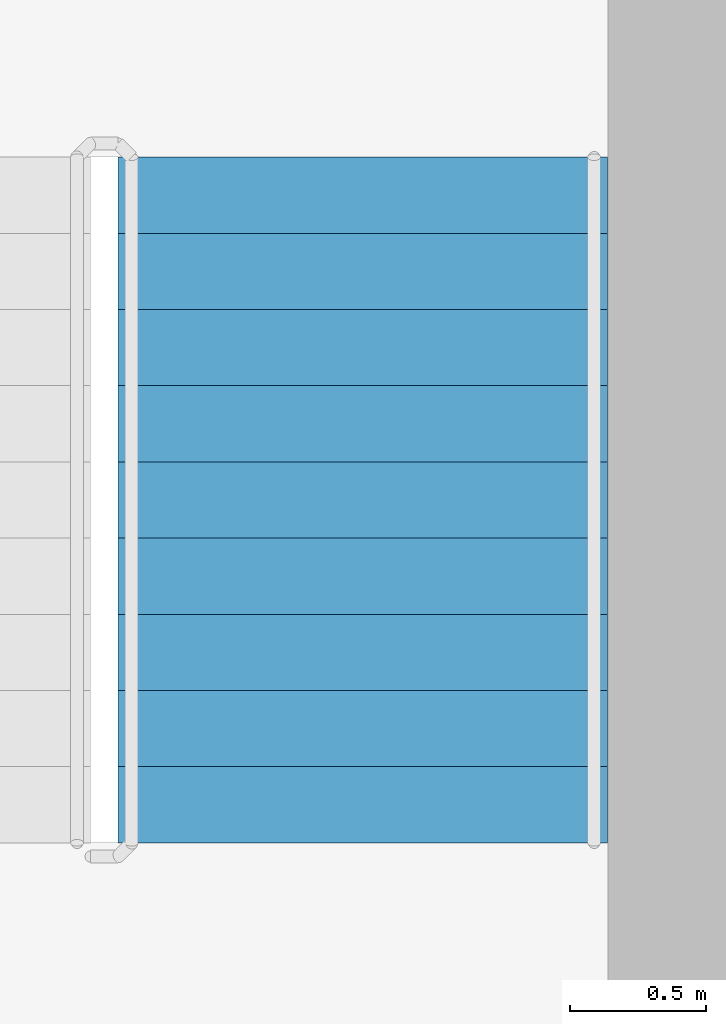
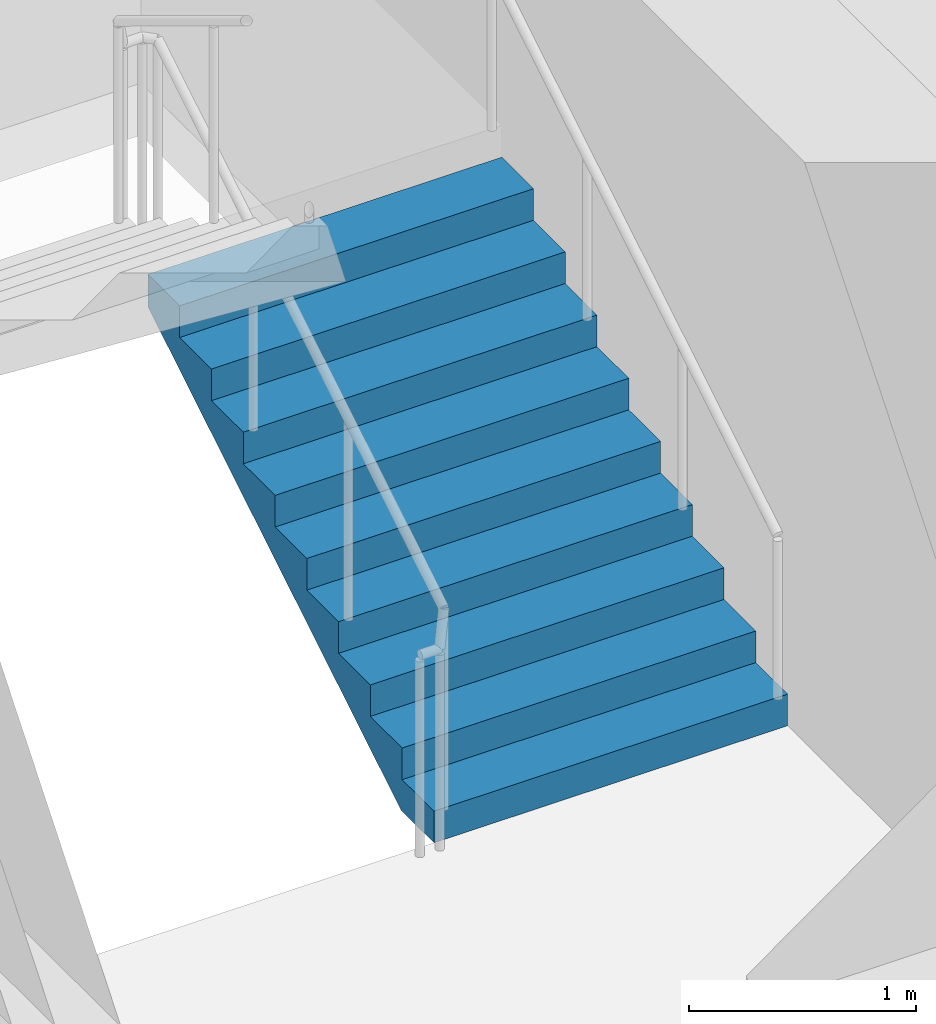
# One storey, part 11 of 19: 1 stair flight, 1 element without a shape of its own.
"""IFC4 building model written with IfcOpenShell, lengths in metres."""

import ifcopenshell
import ifcopenshell.guid

model = None  # the IFC model being written
_history = None  # IfcOwnerHistory: only IFC2X3 demands one
_inside = {}  # id of a spatial element -> (the spatial element, [elements in it])
_under = {}  # id of a project, library or spatial element -> (it, [spatial elements below it])
_declared = {}  # id of a project -> (the project, [libraries it declares])
_typed = {}  # id of a type object -> (the type object, [elements of that type])
_made_of = {}  # id of a material, layer set ... -> (it, [elements and type objects made of it])


def new_model(schema):
    """Start an empty IFC model of exactly this schema.

    Asked for "IFC4X3", IfcOpenShell would pick the latest addendum, in which some entities
    have other attributes; the version numbers below select the first issue.
    IFC2X3 requires an IfcOwnerHistory on every rooted entity: one is made here for all.
    """
    global model, _history
    if schema == "IFC4X3":
        model = ifcopenshell.file(schema_version=(4, 3, 0, 0))
    else:
        model = ifcopenshell.file(schema=schema)
    _inside.clear()
    _under.clear()
    _declared.clear()
    _typed.clear()
    _made_of.clear()
    _history = None
    if model.schema == "IFC2X3":
        org = make("IfcOrganization", Name="unknown")
        user = make(
            "IfcPersonAndOrganization",
            ThePerson=make("IfcPerson", FamilyName="unknown"),
            TheOrganization=org,
        )
        app = make(
            "IfcApplication",
            ApplicationDeveloper=org,
            Version="unknown",
            ApplicationFullName="unknown",
            ApplicationIdentifier="unknown",
        )
        _history = make(
            "IfcOwnerHistory",
            OwningUser=user,
            OwningApplication=app,
            ChangeAction="ADDED",
            CreationDate=0,
        )
    return model


def make(cls, **values):
    """One entity of the class cls with the attributes given. An attribute that is None is left unset."""
    return model.create_entity(
        cls, **{name: value for name, value in values.items() if value is not None}
    )


def rooted(cls, **values):
    """An entity with a GlobalId (a new one), such as an element, a storey or a relation."""
    return make(cls, GlobalId=ifcopenshell.guid.new(), OwnerHistory=_history, **values)


def si_unit(unit_type, name, prefix=None):
    """IfcSIUnit, for example si_unit("LENGTHUNIT", "METRE", prefix="MILLI")."""
    return make("IfcSIUnit", UnitType=unit_type, Prefix=prefix, Name=name)


def assignment(units):
    """IfcUnitAssignment: the units of a project."""
    return None if units is None else make("IfcUnitAssignment", Units=units)


def point(xyz):
    """IfcCartesianPoint."""
    return None if xyz is None else make("IfcCartesianPoint", Coordinates=xyz)


def direction(xyz):
    """IfcDirection."""
    return None if xyz is None else make("IfcDirection", DirectionRatios=xyz)


def frame(location, z_axis=None, x_axis=None):
    """IfcAxis2Placement3D, a coordinate frame: its origin and axes. An axis left out is left unset."""
    return make(
        "IfcAxis2Placement3D",
        Location=point(location),
        Axis=direction(z_axis),
        RefDirection=direction(x_axis),
    )


def origin():
    """The frame at (0, 0, 0) with its axes left unset."""
    return frame((0.0, 0.0, 0.0))


def place(relative_to, where):
    """IfcLocalPlacement: puts the frame where relative to a parent placement (None: the world)."""
    return make(
        "IfcLocalPlacement", PlacementRelTo=relative_to, RelativePlacement=where
    )


def context(
    kind, dimensions, precision=None, world=None, true_north=None, identifier=None
):
    """IfcGeometricRepresentationContext, for example the 3D "Model" context."""
    return make(
        "IfcGeometricRepresentationContext",
        ContextIdentifier=identifier,
        ContextType=kind,
        CoordinateSpaceDimension=dimensions,
        Precision=precision,
        WorldCoordinateSystem=world,
        TrueNorth=true_north,
    )


def subcontext(parent, identifier, kind, view, scale=None):
    """IfcGeometricRepresentationSubContext, for example "Body" below "Model"."""
    return make(
        "IfcGeometricRepresentationSubContext",
        ContextIdentifier=identifier,
        ContextType=kind,
        ParentContext=parent,
        TargetScale=scale,
        TargetView=view,
    )


def project(units=None, contexts=None):
    """IfcProject with its units and contexts."""
    return rooted(
        "IfcProject",
        Name="project",
        RepresentationContexts=contexts,
        UnitsInContext=assignment(units),
    )


def spatial(cls, under=None, at=None, **own):
    """A site, building, storey or space (cls), placed at a placement, below another one or the project."""
    s = rooted(cls, ObjectPlacement=at, **own)
    if under is not None:
        _under.setdefault(under.id(), (under, []))[1].append(s)
    return s


def point_list(points):
    """IfcCartesianPointList2D or 3D."""
    cls = (
        "IfcCartesianPointList2D" if len(points[0]) == 2 else "IfcCartesianPointList3D"
    )
    return make(cls, CoordList=points)


def triangles(points, corners, closed=None, point_numbers=None):
    """IfcTriangulatedFaceSet: each triangle names its three corners, points numbered from 1."""
    return make(
        "IfcTriangulatedFaceSet",
        Coordinates=point_list(points),
        Closed=closed,
        CoordIndex=corners,
        PnIndex=point_numbers,
    )


def shape(context_of_items, identifier, shape_type, items):
    """IfcShapeRepresentation: the items that make up one representation, for example the "Body"."""
    return make(
        "IfcShapeRepresentation",
        ContextOfItems=context_of_items,
        RepresentationIdentifier=identifier,
        RepresentationType=shape_type,
        Items=items,
    )


def source(mapping_origin, context_of_items, identifier, shape_type, items):
    """IfcRepresentationMap: a shape defined once, which mapped items show again and again."""
    return make(
        "IfcRepresentationMap",
        MappingOrigin=mapping_origin,
        MappedRepresentation=shape(context_of_items, identifier, shape_type, items),
    )


def transform(
    local_origin,
    x_axis=None,
    y_axis=None,
    z_axis=None,
    scale=None,
    scale2=None,
    scale3=None,
    uniform=True,
):
    """IfcCartesianTransformationOperator3D, or its non-uniform kind. x_axis, y_axis, z_axis: its Axis1, 2, 3."""
    if uniform:
        return make(
            "IfcCartesianTransformationOperator3D",
            Axis1=direction(x_axis),
            Axis2=direction(y_axis),
            LocalOrigin=point(local_origin),
            Scale=scale,
            Axis3=direction(z_axis),
        )
    return make(
        "IfcCartesianTransformationOperator3DnonUniform",
        Axis1=direction(x_axis),
        Axis2=direction(y_axis),
        LocalOrigin=point(local_origin),
        Scale=scale,
        Axis3=direction(z_axis),
        Scale2=scale2,
        Scale3=scale3,
    )


def mapped(mapping_source, mapping_target):
    """IfcMappedItem: shows the shape of a source again, moved by a transform."""
    return make(
        "IfcMappedItem", MappingSource=mapping_source, MappingTarget=mapping_target
    )


def material(Name=None, Category=None):
    """IfcMaterial."""
    return make("IfcMaterial", Name=Name, Category=Category)


def made_of(thing, what):
    """Note that an element or type object is made of a material, layer set ...; save() writes the relation."""
    if what is not None:
        _made_of.setdefault(what.id(), (what, []))[1].append(thing)
    return thing


def type_object(cls, material=None, **own):
    """A type object (cls), such as IfcWallType, which elements share."""
    return made_of(rooted(cls, **own), material)


def element(
    cls,
    number,
    at=None,
    inside=None,
    cuts=None,
    type_object=None,
    material=None,
    context=None,
    identifier="Body",
    shape_type=None,
    held_by="IfcProductDefinitionShape",
    body=None,
    shapes=None,
    **own,
):
    """One element of the class cls, such as IfcWall. Its Tag is "e" and its number.

    at: its placement. inside: the storey or other place that contains it. cuts: it is an
    opening in that element (IfcRelVoidsElement). A single representation is given by context,
    identifier, shape_type and body (its items); several are given by shapes. held_by: the class
    of the entity that holds the representations. save() writes the other relations.
    """
    e = rooted(cls, Tag="e%d" % number, ObjectPlacement=at, **own)
    if body is not None:
        shapes = [shape(context, identifier, shape_type, body)]
    if shapes is not None:
        e.Representation = make(held_by, Representations=shapes)
    if inside is not None:
        _inside.setdefault(inside.id(), (inside, []))[1].append(e)
    if cuts is not None:
        rooted(
            "IfcRelVoidsElement", RelatingBuildingElement=cuts, RelatedOpeningElement=e
        )
    if type_object is not None:
        _typed.setdefault(type_object.id(), (type_object, []))[1].append(e)
    return made_of(e, material)


def aggregate(whole, parts):
    """IfcRelAggregates: a whole, such as a stair, and the parts it consists of."""
    return rooted("IfcRelAggregates", RelatingObject=whole, RelatedObjects=parts)


def save(model, path):
    """Write the relations noted so far, then the file.

    IfcRelAggregates (storeys below a building ...), IfcRelContainedInSpatialStructure (elements
    in a storey), IfcRelDefinesByType, IfcRelAssociatesMaterial and IfcRelDeclares: one each for
    every whole, place, type object, material and project.
    """
    for whole, parts in _under.values():
        aggregate(whole, parts)
    for where, things in _inside.values():
        rooted(
            "IfcRelContainedInSpatialStructure",
            RelatedElements=things,
            RelatingStructure=where,
        )
    for kind, things in _typed.values():
        rooted("IfcRelDefinesByType", RelatedObjects=things, RelatingType=kind)
    for what, things in _made_of.values():
        rooted("IfcRelAssociatesMaterial", RelatedObjects=things, RelatingMaterial=what)
    for by, libraries in _declared.values():
        rooted("IfcRelDeclares", RelatingContext=by, RelatedDefinitions=libraries)
    model.write(path)


model = new_model("IFC4")

# Units and contexts
model_context = context("Model", 3, precision=1e-05, world=origin(), true_north=direction((0.0, 1.0)))
body_context = subcontext(model_context, "Body", "Model", "MODEL_VIEW")
ifc_project = project(units=[si_unit("LENGTHUNIT", "METRE"), si_unit("AREAUNIT", "SQUARE_METRE"), si_unit("VOLUMEUNIT", "CUBIC_METRE"), si_unit("PLANEANGLEUNIT", "RADIAN"), si_unit("MASSUNIT", "GRAM", prefix="KILO")], contexts=[model_context])

# Site, building, storey
site_placement = place(None, origin())
site = spatial("IfcSite", under=ifc_project, at=site_placement, CompositionType="ELEMENT")
building_placement = place(site_placement, origin())
building = spatial("IfcBuilding", under=site, at=building_placement, Name="Kilnfold Tower and Market Hall", CompositionType="ELEMENT")
storey_placement = place(building_placement, frame((0.0, 0.0, 252.60009765625)))
storey = spatial("IfcBuildingStorey", under=building, at=storey_placement, Name="L61", CompositionType="ELEMENT", Elevation=252.60009765625)

# Stair, stair flight
ifc_material_1 = material(Name="Concrete C40/50", Category="concrete")
stair_type = type_object("IfcStairType", Name="CORE STAIR 1800", PredefinedType="HALF_TURN_STAIR", material=ifc_material_1)
stair_placement = place(storey_placement, origin())
stair = element("IfcStair", 1, at=stair_placement, inside=storey, type_object=stair_type, Name="L61 ST2", PredefinedType="HALF_TURN_STAIR")
ifc_material_2 = material(Name="Concrete C40/50", Category="concrete")
stair_flight_type = type_object("IfcStairFlightType", Name="CORE STAIR FLIGHT 1800", PredefinedType="STRAIGHT", material=ifc_material_2)
shared_shape = source(origin(), body_context, "Body", "Tessellation", [
    triangles([(0.0, 0.89990234375, 0.0), (0.0, 0.78759765625, 0.0), (0.0, 0.675048828125, 0.0), (0.0, 0.5625, 0.0), (0.0, 0.449951171875, 0.0), (0.0, 0.33740234375, 0.0), (0.0, 0.22509765625, 0.0), (0.0, 0.112548828125, 0.0), (0.0, 0.0, 0.0), (0.0, -0.112548828125, 0.0), (0.0, -0.22509765625, 0.0), (0.0, -0.33740234375, 0.0), (0.0, -0.449951171875, 0.0), (0.0, -0.5625, 0.0), (0.0, -0.675048828125, 0.0), (0.0, -0.78759765625, 0.0), (0.0, -0.89990234375, 0.0), (0.0, 0.89990234375, 0.169921875), (0.0, 0.78759765625, 0.169921875), (0.0, 0.675048828125, 0.169921875), (0.0, 0.5625, 0.169921875), (0.0, 0.449951171875, 0.169921875), (0.0, 0.33740234375, 0.169921875), (0.0, 0.22509765625, 0.169921875), (0.0, 0.112548828125, 0.169921875), (0.0, 0.0, 0.169921875), (0.0, -0.112548828125, 0.169921875), (0.0, -0.22509765625, 0.169921875), (0.0, -0.33740234375, 0.169921875), (0.0, -0.449951171875, 0.169921875), (0.0, -0.5625, 0.169921875), (0.0, -0.675048828125, 0.169921875), (0.0, -0.78759765625, 0.169921875), (0.0, -0.89990234375, 0.169921875), (0.280029296875, 0.89990234375, 0.169921875), (0.280029296875, 0.78759765625, 0.169921875), (0.280029296875, 0.675048828125, 0.169921875), (0.280029296875, 0.5625, 0.169921875), (0.280029296875, 0.449951171875, 0.169921875), (0.280029296875, 0.33740234375, 0.169921875), (0.280029296875, 0.22509765625, 0.169921875), (0.280029296875, 0.112548828125, 0.169921875), (0.280029296875, 0.0, 0.169921875), (0.280029296875, -0.112548828125, 0.169921875), (0.280029296875, -0.22509765625, 0.169921875), (0.280029296875, -0.33740234375, 0.169921875), (0.280029296875, -0.449951171875, 0.169921875), (0.280029296875, -0.5625, 0.169921875), (0.280029296875, -0.675048828125, 0.169921875), (0.280029296875, -0.78759765625, 0.169921875), (0.280029296875, -0.89990234375, 0.169921875), (0.280029296875, 0.89990234375, 0.340087890625), (0.280029296875, 0.78759765625, 0.340087890625), (0.280029296875, 0.675048828125, 0.340087890625), (0.280029296875, 0.5625, 0.340087890625), (0.280029296875, 0.449951171875, 0.340087890625), (0.280029296875, 0.33740234375, 0.340087890625), (0.280029296875, 0.22509765625, 0.340087890625), (0.280029296875, 0.112548828125, 0.340087890625), (0.280029296875, 0.0, 0.340087890625), (0.280029296875, -0.112548828125, 0.340087890625), (0.280029296875, -0.22509765625, 0.340087890625), (0.280029296875, -0.33740234375, 0.340087890625), (0.280029296875, -0.449951171875, 0.340087890625), (0.280029296875, -0.5625, 0.340087890625), (0.280029296875, -0.675048828125, 0.340087890625), (0.280029296875, -0.78759765625, 0.340087890625), (0.280029296875, -0.89990234375, 0.340087890625), (0.56005859375, 0.89990234375, 0.340087890625), (0.56005859375, 0.78759765625, 0.340087890625), (0.56005859375, 0.675048828125, 0.340087890625), (0.56005859375, 0.5625, 0.340087890625), (0.56005859375, 0.449951171875, 0.340087890625), (0.56005859375, 0.33740234375, 0.340087890625), (0.56005859375, 0.22509765625, 0.340087890625), (0.56005859375, 0.112548828125, 0.340087890625), (0.56005859375, 0.0, 0.340087890625), (0.56005859375, -0.112548828125, 0.340087890625), (0.56005859375, -0.22509765625, 0.340087890625), (0.56005859375, -0.33740234375, 0.340087890625), (0.56005859375, -0.449951171875, 0.340087890625), (0.56005859375, -0.5625, 0.340087890625), (0.56005859375, -0.675048828125, 0.340087890625), (0.56005859375, -0.78759765625, 0.340087890625), (0.56005859375, -0.89990234375, 0.340087890625), (0.56005859375, 0.89990234375, 0.510009765625), (0.56005859375, 0.78759765625, 0.510009765625), (0.56005859375, 0.675048828125, 0.510009765625), (0.56005859375, 0.5625, 0.510009765625), (0.56005859375, 0.449951171875, 0.510009765625), (0.56005859375, 0.33740234375, 0.510009765625), (0.56005859375, 0.22509765625, 0.510009765625), (0.56005859375, 0.112548828125, 0.510009765625), (0.56005859375, 0.0, 0.510009765625), (0.56005859375, -0.112548828125, 0.510009765625), (0.56005859375, -0.22509765625, 0.510009765625), (0.56005859375, -0.33740234375, 0.510009765625), (0.56005859375, -0.449951171875, 0.510009765625), (0.56005859375, -0.5625, 0.510009765625), (0.56005859375, -0.675048828125, 0.510009765625), (0.56005859375, -0.78759765625, 0.510009765625), (0.56005859375, -0.89990234375, 0.510009765625), (0.840087890625, 0.89990234375, 0.510009765625), (0.840087890625, 0.78759765625, 0.510009765625), (0.840087890625, 0.675048828125, 0.510009765625), (0.840087890625, 0.5625, 0.510009765625), (0.840087890625, 0.449951171875, 0.510009765625), (0.840087890625, 0.33740234375, 0.510009765625), (0.840087890625, 0.22509765625, 0.510009765625), (0.840087890625, 0.112548828125, 0.510009765625), (0.840087890625, 0.0, 0.510009765625), (0.840087890625, -0.112548828125, 0.510009765625), (0.840087890625, -0.22509765625, 0.510009765625), (0.840087890625, -0.33740234375, 0.510009765625), (0.840087890625, -0.449951171875, 0.510009765625), (0.840087890625, -0.5625, 0.510009765625), (0.840087890625, -0.675048828125, 0.510009765625), (0.840087890625, -0.78759765625, 0.510009765625), (0.840087890625, -0.89990234375, 0.510009765625), (0.840087890625, 0.89990234375, 0.679931640625), (0.840087890625, 0.78759765625, 0.679931640625), (0.840087890625, 0.675048828125, 0.679931640625), (0.840087890625, 0.5625, 0.679931640625), (0.840087890625, 0.449951171875, 0.679931640625), (0.840087890625, 0.33740234375, 0.679931640625), (0.840087890625, 0.22509765625, 0.679931640625), (0.840087890625, 0.112548828125, 0.679931640625), (0.840087890625, 0.0, 0.679931640625), (0.840087890625, -0.112548828125, 0.679931640625), (0.840087890625, -0.22509765625, 0.679931640625), (0.840087890625, -0.33740234375, 0.679931640625), (0.840087890625, -0.449951171875, 0.679931640625), (0.840087890625, -0.5625, 0.679931640625), (0.840087890625, -0.675048828125, 0.679931640625), (0.840087890625, -0.78759765625, 0.679931640625), (0.840087890625, -0.89990234375, 0.679931640625), (1.1201171875, 0.89990234375, 0.679931640625), (1.1201171875, 0.78759765625, 0.679931640625), (1.1201171875, 0.675048828125, 0.679931640625), (1.1201171875, 0.5625, 0.679931640625), (1.1201171875, 0.449951171875, 0.679931640625), (1.1201171875, 0.33740234375, 0.679931640625), (1.1201171875, 0.22509765625, 0.679931640625), (1.1201171875, 0.112548828125, 0.679931640625), (1.1201171875, 0.0, 0.679931640625), (1.1201171875, -0.112548828125, 0.679931640625), (1.1201171875, -0.22509765625, 0.679931640625), (1.1201171875, -0.33740234375, 0.679931640625), (1.1201171875, -0.449951171875, 0.679931640625), (1.1201171875, -0.5625, 0.679931640625), (1.1201171875, -0.675048828125, 0.679931640625), (1.1201171875, -0.78759765625, 0.679931640625), (1.1201171875, -0.89990234375, 0.679931640625), (1.1201171875, 0.89990234375, 0.85009765625), (1.1201171875, 0.78759765625, 0.85009765625), (1.1201171875, 0.675048828125, 0.85009765625), (1.1201171875, 0.5625, 0.85009765625), (1.1201171875, 0.449951171875, 0.85009765625), (1.1201171875, 0.33740234375, 0.85009765625), (1.1201171875, 0.22509765625, 0.85009765625), (1.1201171875, 0.112548828125, 0.85009765625), (1.1201171875, 0.0, 0.85009765625), (1.1201171875, -0.112548828125, 0.85009765625), (1.1201171875, -0.22509765625, 0.85009765625), (1.1201171875, -0.33740234375, 0.85009765625), (1.1201171875, -0.449951171875, 0.85009765625), (1.1201171875, -0.5625, 0.85009765625), (1.1201171875, -0.675048828125, 0.85009765625), (1.1201171875, -0.78759765625, 0.85009765625), (1.1201171875, -0.89990234375, 0.85009765625), (1.39990234375, 0.89990234375, 0.85009765625), (1.39990234375, 0.78759765625, 0.85009765625), (1.39990234375, 0.675048828125, 0.85009765625), (1.39990234375, 0.5625, 0.85009765625), (1.39990234375, 0.449951171875, 0.85009765625), (1.39990234375, 0.33740234375, 0.85009765625), (1.39990234375, 0.22509765625, 0.85009765625), (1.39990234375, 0.112548828125, 0.85009765625), (1.39990234375, 0.0, 0.85009765625), (1.39990234375, -0.112548828125, 0.85009765625), (1.39990234375, -0.22509765625, 0.85009765625), (1.39990234375, -0.33740234375, 0.85009765625), (1.39990234375, -0.449951171875, 0.85009765625), (1.39990234375, -0.5625, 0.85009765625), (1.39990234375, -0.675048828125, 0.85009765625), (1.39990234375, -0.78759765625, 0.85009765625), (1.39990234375, -0.89990234375, 0.85009765625), (1.39990234375, 0.89990234375, 1.02001953125), (1.39990234375, 0.78759765625, 1.02001953125), (1.39990234375, 0.675048828125, 1.02001953125), (1.39990234375, 0.5625, 1.02001953125), (1.39990234375, 0.449951171875, 1.02001953125), (1.39990234375, 0.33740234375, 1.02001953125), (1.39990234375, 0.22509765625, 1.02001953125), (1.39990234375, 0.112548828125, 1.02001953125), (1.39990234375, 0.0, 1.02001953125), (1.39990234375, -0.112548828125, 1.02001953125), (1.39990234375, -0.22509765625, 1.02001953125), (1.39990234375, -0.33740234375, 1.02001953125), (1.39990234375, -0.449951171875, 1.02001953125), (1.39990234375, -0.5625, 1.02001953125), (1.39990234375, -0.675048828125, 1.02001953125), (1.39990234375, -0.78759765625, 1.02001953125), (1.39990234375, -0.89990234375, 1.02001953125), (1.679931640625, 0.89990234375, 1.02001953125), (1.679931640625, 0.78759765625, 1.02001953125), (1.679931640625, 0.675048828125, 1.02001953125), (1.679931640625, 0.5625, 1.02001953125), (1.679931640625, 0.449951171875, 1.02001953125), (1.679931640625, 0.33740234375, 1.02001953125), (1.679931640625, 0.22509765625, 1.02001953125), (1.679931640625, 0.112548828125, 1.02001953125), (1.679931640625, 0.0, 1.02001953125), (1.679931640625, -0.112548828125, 1.02001953125), (1.679931640625, -0.22509765625, 1.02001953125), (1.679931640625, -0.33740234375, 1.02001953125), (1.679931640625, -0.449951171875, 1.02001953125), (1.679931640625, -0.5625, 1.02001953125), (1.679931640625, -0.675048828125, 1.02001953125), (1.679931640625, -0.78759765625, 1.02001953125), (1.679931640625, -0.89990234375, 1.02001953125), (1.679931640625, 0.89990234375, 1.18994140625), (1.679931640625, 0.78759765625, 1.18994140625), (1.679931640625, 0.675048828125, 1.18994140625), (1.679931640625, 0.5625, 1.18994140625), (1.679931640625, 0.449951171875, 1.18994140625), (1.679931640625, 0.33740234375, 1.18994140625), (1.679931640625, 0.22509765625, 1.18994140625), (1.679931640625, 0.112548828125, 1.18994140625), (1.679931640625, 0.0, 1.18994140625), (1.679931640625, -0.112548828125, 1.18994140625), (1.679931640625, -0.22509765625, 1.18994140625), (1.679931640625, -0.33740234375, 1.18994140625), (1.679931640625, -0.449951171875, 1.18994140625), (1.679931640625, -0.5625, 1.18994140625), (1.679931640625, -0.675048828125, 1.18994140625), (1.679931640625, -0.78759765625, 1.18994140625), (1.679931640625, -0.89990234375, 1.18994140625), (1.9599609375, 0.89990234375, 1.18994140625), (1.9599609375, 0.78759765625, 1.18994140625), (1.9599609375, 0.675048828125, 1.18994140625), (1.9599609375, 0.5625, 1.18994140625), (1.9599609375, 0.449951171875, 1.18994140625), (1.9599609375, 0.33740234375, 1.18994140625), (1.9599609375, 0.22509765625, 1.18994140625), (1.9599609375, 0.112548828125, 1.18994140625), (1.9599609375, 0.0, 1.18994140625), (1.9599609375, -0.112548828125, 1.18994140625), (1.9599609375, -0.22509765625, 1.18994140625), (1.9599609375, -0.33740234375, 1.18994140625), (1.9599609375, -0.449951171875, 1.18994140625), (1.9599609375, -0.5625, 1.18994140625), (1.9599609375, -0.675048828125, 1.18994140625), (1.9599609375, -0.78759765625, 1.18994140625), (1.9599609375, -0.89990234375, 1.18994140625), (1.9599609375, 0.89990234375, 1.360107421875), (1.9599609375, 0.78759765625, 1.360107421875), (1.9599609375, 0.675048828125, 1.360107421875), (1.9599609375, 0.5625, 1.360107421875), (1.9599609375, 0.449951171875, 1.360107421875), (1.9599609375, 0.33740234375, 1.360107421875), (1.9599609375, 0.22509765625, 1.360107421875), (1.9599609375, 0.112548828125, 1.360107421875), (1.9599609375, 0.0, 1.360107421875), (1.9599609375, -0.112548828125, 1.360107421875), (1.9599609375, -0.22509765625, 1.360107421875), (1.9599609375, -0.33740234375, 1.360107421875), (1.9599609375, -0.449951171875, 1.360107421875), (1.9599609375, -0.5625, 1.360107421875), (1.9599609375, -0.675048828125, 1.360107421875), (1.9599609375, -0.78759765625, 1.360107421875), (1.9599609375, -0.89990234375, 1.360107421875), (2.239990234375, 0.89990234375, 1.360107421875), (2.239990234375, 0.78759765625, 1.360107421875), (2.239990234375, 0.675048828125, 1.360107421875), (2.239990234375, 0.5625, 1.360107421875), (2.239990234375, 0.449951171875, 1.360107421875), (2.239990234375, 0.33740234375, 1.360107421875), (2.239990234375, 0.22509765625, 1.360107421875), (2.239990234375, 0.112548828125, 1.360107421875), (2.239990234375, 0.0, 1.360107421875), (2.239990234375, -0.112548828125, 1.360107421875), (2.239990234375, -0.22509765625, 1.360107421875), (2.239990234375, -0.33740234375, 1.360107421875), (2.239990234375, -0.449951171875, 1.360107421875), (2.239990234375, -0.5625, 1.360107421875), (2.239990234375, -0.675048828125, 1.360107421875), (2.239990234375, -0.78759765625, 1.360107421875), (2.239990234375, -0.89990234375, 1.360107421875), (2.239990234375, 0.89990234375, 1.530029296875), (2.239990234375, 0.78759765625, 1.530029296875), (2.239990234375, 0.675048828125, 1.530029296875), (2.239990234375, 0.5625, 1.530029296875), (2.239990234375, 0.449951171875, 1.530029296875), (2.239990234375, 0.33740234375, 1.530029296875), (2.239990234375, 0.22509765625, 1.530029296875), (2.239990234375, 0.112548828125, 1.530029296875), (2.239990234375, 0.0, 1.530029296875), (2.239990234375, -0.112548828125, 1.530029296875), (2.239990234375, -0.22509765625, 1.530029296875), (2.239990234375, -0.33740234375, 1.530029296875), (2.239990234375, -0.449951171875, 1.530029296875), (2.239990234375, -0.5625, 1.530029296875), (2.239990234375, -0.675048828125, 1.530029296875), (2.239990234375, -0.78759765625, 1.530029296875), (2.239990234375, -0.89990234375, 1.530029296875), (2.52001953125, 0.89990234375, 1.530029296875), (2.52001953125, 0.78759765625, 1.530029296875), (2.52001953125, 0.675048828125, 1.530029296875), (2.52001953125, 0.5625, 1.530029296875), (2.52001953125, 0.449951171875, 1.530029296875), (2.52001953125, 0.33740234375, 1.530029296875), (2.52001953125, 0.22509765625, 1.530029296875), (2.52001953125, 0.112548828125, 1.530029296875), (2.52001953125, 0.0, 1.530029296875), (2.52001953125, -0.112548828125, 1.530029296875), (2.52001953125, -0.22509765625, 1.530029296875), (2.52001953125, -0.33740234375, 1.530029296875), (2.52001953125, -0.449951171875, 1.530029296875), (2.52001953125, -0.5625, 1.530029296875), (2.52001953125, -0.675048828125, 1.530029296875), (2.52001953125, -0.78759765625, 1.530029296875), (2.52001953125, -0.89990234375, 1.530029296875), (2.52001953125, 0.89990234375, 1.354736328125), (2.52001953125, 0.78759765625, 1.354736328125), (2.52001953125, 0.675048828125, 1.354736328125), (2.52001953125, 0.5625, 1.354736328125), (2.52001953125, 0.449951171875, 1.354736328125), (2.52001953125, 0.33740234375, 1.354736328125), (2.52001953125, 0.22509765625, 1.354736328125), (2.52001953125, 0.112548828125, 1.354736328125), (2.52001953125, 0.0, 1.354736328125), (2.52001953125, -0.112548828125, 1.354736328125), (2.52001953125, -0.22509765625, 1.354736328125), (2.52001953125, -0.33740234375, 1.354736328125), (2.52001953125, -0.449951171875, 1.354736328125), (2.52001953125, -0.5625, 1.354736328125), (2.52001953125, -0.675048828125, 1.354736328125), (2.52001953125, -0.78759765625, 1.354736328125), (2.52001953125, -0.89990234375, 1.354736328125), (0.288818359375, 0.89990234375, 0.0), (0.288818359375, 0.78759765625, 0.0), (0.288818359375, 0.675048828125, 0.0), (0.288818359375, 0.5625, 0.0), (0.288818359375, 0.449951171875, 0.0), (0.288818359375, 0.33740234375, 0.0), (0.288818359375, 0.22509765625, 0.0), (0.288818359375, 0.112548828125, 0.0), (0.288818359375, 0.0, 0.0), (0.288818359375, -0.112548828125, 0.0), (0.288818359375, -0.22509765625, 0.0), (0.288818359375, -0.33740234375, 0.0), (0.288818359375, -0.449951171875, 0.0), (0.288818359375, -0.5625, 0.0), (0.288818359375, -0.675048828125, 0.0), (0.288818359375, -0.78759765625, 0.0), (0.288818359375, -0.89990234375, 0.0)], [[1, 324, 341], [17, 357, 340], [324, 290, 307], [340, 323, 306], [324, 273, 290], [340, 306, 289], [324, 256, 273], [340, 289, 272], [324, 239, 256], [340, 272, 255], [239, 205, 222], [255, 238, 221], [324, 205, 239], [340, 255, 221], [205, 171, 188], [221, 204, 187], [324, 171, 205], [340, 221, 187], [171, 137, 154], [187, 170, 153], [324, 137, 171], [340, 187, 153], [137, 103, 120], [153, 136, 119], [324, 103, 137], [340, 153, 119], [103, 69, 86], [119, 102, 85], [324, 69, 103], [340, 119, 85], [69, 35, 52], [85, 68, 51], [324, 35, 69], [340, 85, 51], [1, 35, 324], [17, 340, 51], [35, 1, 18], [51, 34, 17], [1, 19, 18], [1, 2, 19], [2, 20, 19], [2, 3, 20], [3, 21, 20], [3, 4, 21], [4, 22, 21], [4, 5, 22], [5, 23, 22], [5, 6, 23], [6, 24, 23], [6, 7, 24], [7, 25, 24], [7, 8, 25], [8, 26, 25], [8, 9, 26], [9, 27, 26], [9, 10, 27], [10, 28, 27], [10, 11, 28], [11, 29, 28], [11, 12, 29], [12, 30, 29], [12, 13, 30], [13, 31, 30], [13, 14, 31], [14, 32, 31], [14, 15, 32], [15, 33, 32], [15, 16, 33], [16, 34, 33], [16, 17, 34], [18, 36, 35], [18, 19, 36], [19, 37, 36], [19, 20, 37], [20, 38, 37], [20, 21, 38], [21, 39, 38], [21, 22, 39], [22, 40, 39], [22, 23, 40], [23, 41, 40], [23, 24, 41], [24, 42, 41], [24, 25, 42], [25, 43, 42], [25, 26, 43], [26, 44, 43], [26, 27, 44], [27, 45, 44], [27, 28, 45], [28, 46, 45], [28, 29, 46], [29, 47, 46], [29, 30, 47], [30, 48, 47], [30, 31, 48], [31, 49, 48], [31, 32, 49], [32, 50, 49], [32, 33, 50], [33, 51, 50], [33, 34, 51], [35, 53, 52], [35, 36, 53], [36, 54, 53], [36, 37, 54], [37, 55, 54], [37, 38, 55], [38, 56, 55], [38, 39, 56], [39, 57, 56], [39, 40, 57], [40, 58, 57], [40, 41, 58], [41, 59, 58], [41, 42, 59], [42, 60, 59], [42, 43, 60], [43, 61, 60], [43, 44, 61], [44, 62, 61], [44, 45, 62], [45, 63, 62], [45, 46, 63], [46, 64, 63], [46, 47, 64], [47, 65, 64], [47, 48, 65], [48, 66, 65], [48, 49, 66], [49, 67, 66], [49, 50, 67], [50, 68, 67], [50, 51, 68], [52, 70, 69], [52, 53, 70], [53, 71, 70], [53, 54, 71], [54, 72, 71], [54, 55, 72], [55, 73, 72], [55, 56, 73], [56, 74, 73], [56, 57, 74], [57, 75, 74], [57, 58, 75], [58, 76, 75], [58, 59, 76], [59, 77, 76], [59, 60, 77], [60, 78, 77], [60, 61, 78], [61, 79, 78], [61, 62, 79], [62, 80, 79], [62, 63, 80], [63, 81, 80], [63, 64, 81], [64, 82, 81], [64, 65, 82], [65, 83, 82], [65, 66, 83], [66, 84, 83], [66, 67, 84], [67, 85, 84], [67, 68, 85], [69, 87, 86], [69, 70, 87], [70, 88, 87], [70, 71, 88], [71, 89, 88], [71, 72, 89], [72, 90, 89], [72, 73, 90], [73, 91, 90], [73, 74, 91], [74, 92, 91], [74, 75, 92], [75, 93, 92], [75, 76, 93], [76, 94, 93], [76, 77, 94], [77, 95, 94], [77, 78, 95], [78, 96, 95], [78, 79, 96], [79, 97, 96], [79, 80, 97], [80, 98, 97], [80, 81, 98], [81, 99, 98], [81, 82, 99], [82, 100, 99], [82, 83, 100], [83, 101, 100], [83, 84, 101], [84, 102, 101], [84, 85, 102], [86, 104, 103], [86, 87, 104], [87, 105, 104], [87, 88, 105], [88, 106, 105], [88, 89, 106], [89, 107, 106], [89, 90, 107], [90, 108, 107], [90, 91, 108], [91, 109, 108], [91, 92, 109], [92, 110, 109], [92, 93, 110], [93, 111, 110], [93, 94, 111], [94, 112, 111], [94, 95, 112], [95, 113, 112], [95, 96, 113], [96, 114, 113], [96, 97, 114], [97, 115, 114], [97, 98, 115], [98, 116, 115], [98, 99, 116], [99, 117, 116], [99, 100, 117], [100, 118, 117], [100, 101, 118], [101, 119, 118], [101, 102, 119], [103, 121, 120], [103, 104, 121], [104, 122, 121], [104, 105, 122], [105, 123, 122], [105, 106, 123], [106, 124, 123], [106, 107, 124], [107, 125, 124], [107, 108, 125], [108, 126, 125], [108, 109, 126], [109, 127, 126], [109, 110, 127], [110, 128, 127], [110, 111, 128], [111, 129, 128], [111, 112, 129], [112, 130, 129], [112, 113, 130], [113, 131, 130], [113, 114, 131], [114, 132, 131], [114, 115, 132], [115, 133, 132], [115, 116, 133], [116, 134, 133], [116, 117, 134], [117, 135, 134], [117, 118, 135], [118, 136, 135], [118, 119, 136], [120, 138, 137], [120, 121, 138], [121, 139, 138], [121, 122, 139], [122, 140, 139], [122, 123, 140], [123, 141, 140], [123, 124, 141], [124, 142, 141], [124, 125, 142], [125, 143, 142], [125, 126, 143], [126, 144, 143], [126, 127, 144], [127, 145, 144], [127, 128, 145], [128, 146, 145], [128, 129, 146], [129, 147, 146], [129, 130, 147], [130, 148, 147], [130, 131, 148], [131, 149, 148], [131, 132, 149], [132, 150, 149], [132, 133, 150], [133, 151, 150], [133, 134, 151], [134, 152, 151], [134, 135, 152], [135, 153, 152], [135, 136, 153], [137, 155, 154], [137, 138, 155], [138, 156, 155], [138, 139, 156], [139, 157, 156], [139, 140, 157], [140, 158, 157], [140, 141, 158], [141, 159, 158], [141, 142, 159], [142, 160, 159], [142, 143, 160], [143, 161, 160], [143, 144, 161], [144, 162, 161], [144, 145, 162], [145, 163, 162], [145, 146, 163], [146, 164, 163], [146, 147, 164], [147, 165, 164], [147, 148, 165], [148, 166, 165], [148, 149, 166], [149, 167, 166], [149, 150, 167], [150, 168, 167], [150, 151, 168], [151, 169, 168], [151, 152, 169], [152, 170, 169], [152, 153, 170], [154, 172, 171], [154, 155, 172], [155, 173, 172], [155, 156, 173], [156, 174, 173], [156, 157, 174], [157, 175, 174], [157, 158, 175], [158, 176, 175], [158, 159, 176], [159, 177, 176], [159, 160, 177], [160, 178, 177], [160, 161, 178], [161, 179, 178], [161, 162, 179], [162, 180, 179], [162, 163, 180], [163, 181, 180], [163, 164, 181], [164, 182, 181], [164, 165, 182], [165, 183, 182], [165, 166, 183], [166, 184, 183], [166, 167, 184], [167, 185, 184], [167, 168, 185], [168, 186, 185], [168, 169, 186], [169, 187, 186], [169, 170, 187], [171, 189, 188], [171, 172, 189], [172, 190, 189], [172, 173, 190], [173, 191, 190], [173, 174, 191], [174, 192, 191], [174, 175, 192], [175, 193, 192], [175, 176, 193], [176, 194, 193], [176, 177, 194], [177, 195, 194], [177, 178, 195], [178, 196, 195], [178, 179, 196], [179, 197, 196], [179, 180, 197], [180, 198, 197], [180, 181, 198], [181, 199, 198], [181, 182, 199], [182, 200, 199], [182, 183, 200], [183, 201, 200], [183, 184, 201], [184, 202, 201], [184, 185, 202], [185, 203, 202], [185, 186, 203], [186, 204, 203], [186, 187, 204], [188, 206, 205], [188, 189, 206], [189, 207, 206], [189, 190, 207], [190, 208, 207], [190, 191, 208], [191, 209, 208], [191, 192, 209], [192, 210, 209], [192, 193, 210], [193, 211, 210], [193, 194, 211], [194, 212, 211], [194, 195, 212], [195, 213, 212], [195, 196, 213], [196, 214, 213], [196, 197, 214], [197, 215, 214], [197, 198, 215], [198, 216, 215], [198, 199, 216], [199, 217, 216], [199, 200, 217], [200, 218, 217], [200, 201, 218], [201, 219, 218], [201, 202, 219], [202, 220, 219], [202, 203, 220], [203, 221, 220], [203, 204, 221], [205, 223, 222], [205, 206, 223], [206, 224, 223], [206, 207, 224], [207, 225, 224], [207, 208, 225], [208, 226, 225], [208, 209, 226], [209, 227, 226], [209, 210, 227], [210, 228, 227], [210, 211, 228], [211, 229, 228], [211, 212, 229], [212, 230, 229], [212, 213, 230], [213, 231, 230], [213, 214, 231], [214, 232, 231], [214, 215, 232], [215, 233, 232], [215, 216, 233], [216, 234, 233], [216, 217, 234], [217, 235, 234], [217, 218, 235], [218, 236, 235], [218, 219, 236], [219, 237, 236], [219, 220, 237], [220, 238, 237], [220, 221, 238], [222, 240, 239], [222, 223, 240], [223, 241, 240], [223, 224, 241], [224, 242, 241], [224, 225, 242], [225, 243, 242], [225, 226, 243], [226, 244, 243], [226, 227, 244], [227, 245, 244], [227, 228, 245], [228, 246, 245], [228, 229, 246], [229, 247, 246], [229, 230, 247], [230, 248, 247], [230, 231, 248], [231, 249, 248], [231, 232, 249], [232, 250, 249], [232, 233, 250], [233, 251, 250], [233, 234, 251], [234, 252, 251], [234, 235, 252], [235, 253, 252], [235, 236, 253], [236, 254, 253], [236, 237, 254], [237, 255, 254], [237, 238, 255], [239, 257, 256], [239, 240, 257], [240, 258, 257], [240, 241, 258], [241, 259, 258], [241, 242, 259], [242, 260, 259], [242, 243, 260], [243, 261, 260], [243, 244, 261], [244, 262, 261], [244, 245, 262], [245, 263, 262], [245, 246, 263], [246, 264, 263], [246, 247, 264], [247, 265, 264], [247, 248, 265], [248, 266, 265], [248, 249, 266], [249, 267, 266], [249, 250, 267], [250, 268, 267], [250, 251, 268], [251, 269, 268], [251, 252, 269], [252, 270, 269], [252, 253, 270], [253, 271, 270], [253, 254, 271], [254, 272, 271], [254, 255, 272], [256, 274, 273], [256, 257, 274], [257, 275, 274], [257, 258, 275], [258, 276, 275], [258, 259, 276], [259, 277, 276], [259, 260, 277], [260, 278, 277], [260, 261, 278], [261, 279, 278], [261, 262, 279], [262, 280, 279], [262, 263, 280], [263, 281, 280], [263, 264, 281], [264, 282, 281], [264, 265, 282], [265, 283, 282], [265, 266, 283], [266, 284, 283], [266, 267, 284], [267, 285, 284], [267, 268, 285], [268, 286, 285], [268, 269, 286], [269, 287, 286], [269, 270, 287], [270, 288, 287], [270, 271, 288], [271, 289, 288], [271, 272, 289], [273, 291, 290], [273, 274, 291], [274, 292, 291], [274, 275, 292], [275, 293, 292], [275, 276, 293], [276, 294, 293], [276, 277, 294], [277, 295, 294], [277, 278, 295], [278, 296, 295], [278, 279, 296], [279, 297, 296], [279, 280, 297], [280, 298, 297], [280, 281, 298], [281, 299, 298], [281, 282, 299], [282, 300, 299], [282, 283, 300], [283, 301, 300], [283, 284, 301], [284, 302, 301], [284, 285, 302], [285, 303, 302], [285, 286, 303], [286, 304, 303], [286, 287, 304], [287, 305, 304], [287, 288, 305], [288, 306, 305], [288, 289, 306], [290, 308, 307], [290, 291, 308], [291, 309, 308], [291, 292, 309], [292, 310, 309], [292, 293, 310], [293, 311, 310], [293, 294, 311], [294, 312, 311], [294, 295, 312], [295, 313, 312], [295, 296, 313], [296, 314, 313], [296, 297, 314], [297, 315, 314], [297, 298, 315], [298, 316, 315], [298, 299, 316], [299, 317, 316], [299, 300, 317], [300, 318, 317], [300, 301, 318], [301, 319, 318], [301, 302, 319], [302, 320, 319], [302, 303, 320], [303, 321, 320], [303, 304, 321], [304, 322, 321], [304, 305, 322], [305, 323, 322], [305, 306, 323], [307, 325, 324], [307, 308, 325], [308, 326, 325], [308, 309, 326], [309, 327, 326], [309, 310, 327], [310, 328, 327], [310, 311, 328], [311, 329, 328], [311, 312, 329], [312, 330, 329], [312, 313, 330], [313, 331, 330], [313, 314, 331], [314, 332, 331], [314, 315, 332], [315, 333, 332], [315, 316, 333], [316, 334, 333], [316, 317, 334], [317, 335, 334], [317, 318, 335], [318, 336, 335], [318, 319, 336], [319, 337, 336], [319, 320, 337], [320, 338, 337], [320, 321, 338], [321, 339, 338], [321, 322, 339], [322, 340, 339], [322, 323, 340], [324, 342, 341], [324, 325, 342], [325, 343, 342], [325, 326, 343], [326, 344, 343], [326, 327, 344], [327, 345, 344], [327, 328, 345], [328, 346, 345], [328, 329, 346], [329, 347, 346], [329, 330, 347], [330, 348, 347], [330, 331, 348], [331, 349, 348], [331, 332, 349], [332, 350, 349], [332, 333, 350], [333, 351, 350], [333, 334, 351], [334, 352, 351], [334, 335, 352], [335, 353, 352], [335, 336, 353], [336, 354, 353], [336, 337, 354], [337, 355, 354], [337, 338, 355], [338, 356, 355], [338, 339, 356], [339, 357, 356], [339, 340, 357], [341, 2, 1], [341, 342, 2], [342, 3, 2], [342, 343, 3], [343, 4, 3], [343, 344, 4], [344, 5, 4], [344, 345, 5], [345, 6, 5], [345, 346, 6], [346, 7, 6], [346, 347, 7], [347, 8, 7], [347, 348, 8], [348, 9, 8], [348, 349, 9], [349, 10, 9], [349, 350, 10], [350, 11, 10], [350, 351, 11], [351, 12, 11], [351, 352, 12], [352, 13, 12], [352, 353, 13], [353, 14, 13], [353, 354, 14], [354, 15, 14], [354, 355, 15], [355, 16, 15], [355, 356, 16], [356, 17, 16], [356, 357, 17]], closed=True),
])
stair_flight_placement = place(storey_placement, frame((16.199951171875, 10.800048828125, 0.0), z_axis=(0.0, 0.0, 1.0), x_axis=(0.0, 1.0, 0.0)))
stair_flight = element("IfcStairFlight", 2, at=stair_flight_placement, type_object=stair_flight_type, Name="ST2 flight 1", NumberOfRisers=10, NumberOfTreads=9, PredefinedType="STRAIGHT", RiserHeight=0.17, TreadLength=0.28, context=body_context, shape_type="MappedRepresentation", body=[
    mapped(shared_shape, transform((0.0, 0.0, 0.0))),
])
aggregate(stair, [stair_flight])

save(model, "model.ifc")
